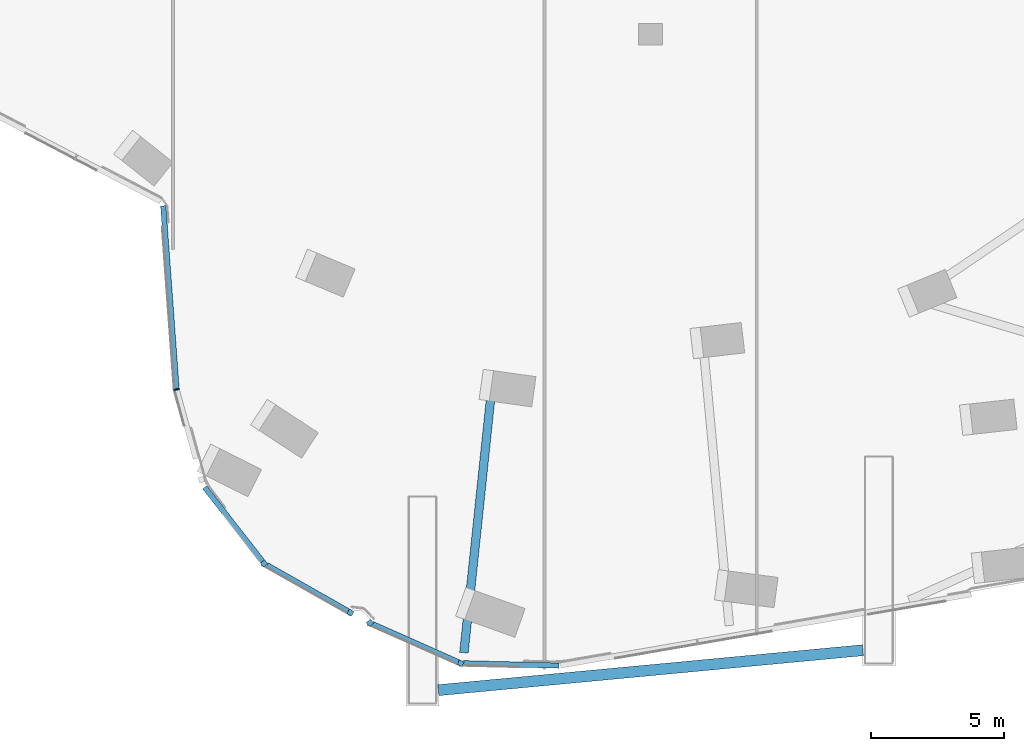
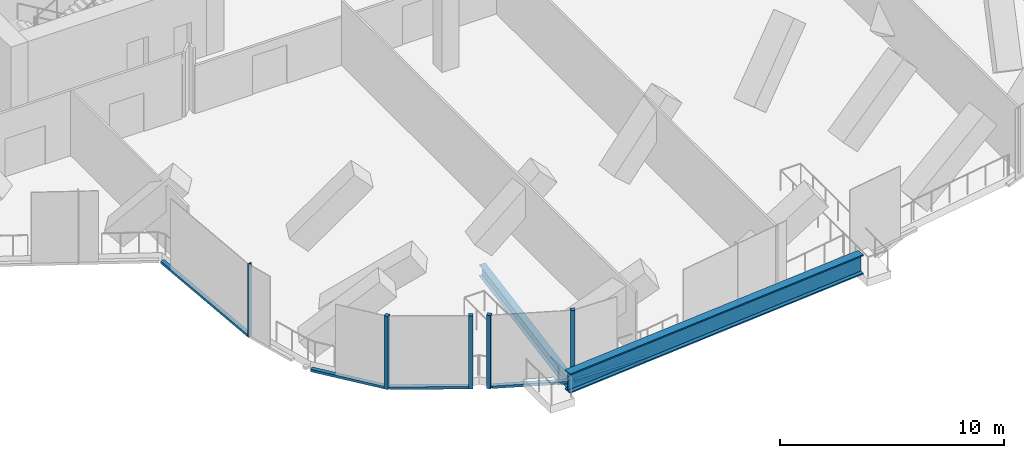
# One storey, part 2 of 26: 10 members, 2 beams, 5 elements without a shape of their own.
"""IFC4 building model written with IfcOpenShell, lengths in metres."""

from ifc_helpers import new_model, si_unit, direction, frame, origin, origin_2d, place, context, subcontext, project, spatial, rectangle, i_section, extrude, material, material_profile, profile_set, type_object, element, aggregate, save


model = new_model("IFC4")

# Units and contexts
model_context = context("Model", 3, precision=1e-05, world=origin(), true_north=direction((0.0, 1.0)))
body_context = subcontext(model_context, "Body", "Model", "MODEL_VIEW")
ifc_project = project(units=[si_unit("LENGTHUNIT", "METRE"), si_unit("AREAUNIT", "SQUARE_METRE"), si_unit("VOLUMEUNIT", "CUBIC_METRE"), si_unit("PLANEANGLEUNIT", "RADIAN"), si_unit("MASSUNIT", "GRAM", prefix="KILO")], contexts=[model_context])

# Site, building, storey
site_placement = place(None, origin())
site = spatial("IfcSite", under=ifc_project, at=site_placement, CompositionType="ELEMENT")
building_placement = place(site_placement, origin())
building = spatial("IfcBuilding", under=site, at=building_placement, Name="Orlundy Tower", CompositionType="ELEMENT")
storey_placement = place(building_placement, frame((0.0, 0.0, 249.5)))
storey = spatial("IfcBuildingStorey", under=building, at=storey_placement, Name="L66", CompositionType="ELEMENT", Elevation=249.5)

# Beam
ifc_material_1 = material(Name="Steel ASTM A992 Gr 50", Category="steel")
ifc_material_profile_1 = material_profile(ifc_material_1, i_section(OverallWidth=0.32373046875, OverallDepth=0.611083984375, WebThickness=0.0126953125, FlangeThickness=0.01904296875, at=origin_2d()), Name="W24X104")
ifc_profile_set_1 = profile_set([ifc_material_profile_1], Name="Steel ASTM A992 Gr 50")
beam_type_1 = type_object("IfcBeamType", Name="CANTILEVER GIRDER beam W24X104", PredefinedType="BEAM", material=ifc_profile_set_1)
beam_1_placement = place(storey_placement, frame((-7.0380859375, -41.310302734375, -0.7255859375), z_axis=(0.104551019006, 0.994519524406, 0.0), x_axis=(-0.994519524406, 0.104551019006, 0.0)))
element("IfcBeam", 1, at=beam_1_placement, inside=storey, type_object=beam_type_1, Name="Cantilever girder C-B2-5 L66", PredefinedType="BEAM", context=body_context, shape_type="SweptSolid", body=[
    extrude(i_section(OverallWidth=0.32373046875, OverallDepth=0.611083984375, WebThickness=0.0126953125, FlangeThickness=0.01904296875, at=origin_2d()), origin(), (0.0, 0.0, 1.0), 9.69091796875),
])

# Curtain wall, members
ifc_material_2 = material(Name="Aluminium bronze anodised", Category="aluminium")
curtain_wall_type = type_object("IfcCurtainWallType", Name="CW5 wall", PredefinedType="NOTDEFINED", material=ifc_material_2)
curtain_wall_1_placement = place(storey_placement, origin())
curtain_wall_1 = element("IfcCurtainWall", 2, at=curtain_wall_1_placement, inside=storey, type_object=curtain_wall_type, Name="CW5 run 038", PredefinedType="NOTDEFINED")
ifc_material_3 = material(Name="Aluminium bronze anodised", Category="aluminium")
ifc_material_profile_2 = material_profile(ifc_material_3, rectangle(XDim=0.199951171875, YDim=0.199951171875, at=origin_2d()), Name="CW5 corner post 200x200")
ifc_profile_set_2 = profile_set([ifc_material_profile_2], Name="Aluminium bronze anodised")
member_type_1 = type_object("IfcMemberType", Name="CW5 corner post 200x200", PredefinedType="MULLION", material=ifc_profile_set_2)
member_1_placement = place(storey_placement, frame((-7.157470703125, -41.70654296875, -0.419921875), z_axis=(0.0, 0.0, 1.0), x_axis=(-0.405512541213, -0.914089480805, 0.0)))
member_1 = element("IfcMember", 3, at=member_1_placement, type_object=member_type_1, Name="CW5 mullion 54", PredefinedType="MULLION", context=body_context, shape_type="SweptSolid", body=[
    extrude(rectangle(XDim=0.199951171875, YDim=0.199951171875, at=origin_2d()), origin(), (0.0, 0.0, 1.0), 4.0),
])
member_2_placement = place(storey_placement, frame((-10.581787109375, -40.187255859375, -0.419921875), z_axis=(0.0, 0.0, 1.0), x_axis=(-0.724482422054, -0.689293275852, 0.0)))
member_2 = element("IfcMember", 4, at=member_2_placement, type_object=member_type_1, Name="CW5 mullion 55", PredefinedType="MULLION", context=body_context, shape_type="SweptSolid", body=[
    extrude(rectangle(XDim=0.199951171875, YDim=0.199951171875, at=origin_2d()), origin(), (0.0, 0.0, 1.0), 4.0),
])

# Curtain wall, member
curtain_wall_2_placement = place(storey_placement, origin())
curtain_wall_2 = element("IfcCurtainWall", 5, at=curtain_wall_2_placement, inside=storey, type_object=curtain_wall_type, Name="CW5 run 041", PredefinedType="NOTDEFINED")
member_3_placement = place(storey_placement, frame((-11.31298828125, -39.7978515625, -0.419921875), z_axis=(0.0, 0.0, 1.0), x_axis=(-0.493754430095, -0.869601381531, 0.0)))
member_3 = element("IfcMember", 6, at=member_3_placement, type_object=member_type_1, Name="CW5 mullion 57", PredefinedType="MULLION", context=body_context, shape_type="SweptSolid", body=[
    extrude(rectangle(XDim=0.199951171875, YDim=0.199951171875, at=origin_2d()), origin(), (0.0, 0.0, 1.0), 4.0),
])

curtain_wall_3_placement = place(storey_placement, origin())
curtain_wall_3 = element("IfcCurtainWall", 7, at=curtain_wall_3_placement, inside=storey, type_object=curtain_wall_type, Name="CW5 run 042", PredefinedType="NOTDEFINED")
member_4_placement = place(storey_placement, frame((-14.570556640625, -37.9482421875, -0.419921875), z_axis=(0.0, 0.0, 1.0), x_axis=(-0.788858043661, -0.614575452611, 0.0)))
member_4 = element("IfcMember", 8, at=member_4_placement, type_object=member_type_1, Name="CW5 mullion 58", PredefinedType="MULLION", context=body_context, shape_type="SweptSolid", body=[
    extrude(rectangle(XDim=0.199951171875, YDim=0.199951171875, at=origin_2d()), origin(), (0.0, 0.0, 1.0), 4.0),
])

curtain_wall_4_placement = place(storey_placement, origin())
curtain_wall_4 = element("IfcCurtainWall", 9, at=curtain_wall_4_placement, inside=storey, type_object=curtain_wall_type, Name="CW5 run 044", PredefinedType="NOTDEFINED")
ifc_material_4 = material(Name="Aluminium bronze anodised", Category="aluminium")
ifc_material_profile_3 = material_profile(ifc_material_4, rectangle(XDim=0.199951171875, YDim=0.050048828125, at=origin_2d()), Name="CW5 mullion 50x200")
ifc_profile_set_3 = profile_set([ifc_material_profile_3], Name="Aluminium bronze anodised")
member_type_2 = type_object("IfcMemberType", Name="CW5 mullion 50x200", PredefinedType="MULLION", material=ifc_profile_set_3)
member_5_placement = place(storey_placement, frame((-17.865966796875, -31.39111328125, -0.419921875), z_axis=(0.0, 0.0, 1.0), x_axis=(-0.985430525338, -0.1700784517, 0.0)))
member_5 = element("IfcMember", 10, at=member_5_placement, type_object=member_type_2, Name="CW5 mullion 60", PredefinedType="MULLION", context=body_context, shape_type="SweptSolid", body=[
    extrude(rectangle(XDim=0.199951171875, YDim=0.050048828125, at=origin_2d()), origin(), (0.0, 0.0, 1.0), 4.0),
])

curtain_wall_5_placement = place(storey_placement, origin())
curtain_wall_5 = element("IfcCurtainWall", 11, at=curtain_wall_5_placement, inside=storey, type_object=curtain_wall_type, Name="CW5 run 037", PredefinedType="NOTDEFINED")
ifc_material_5 = material(Name="Aluminium bronze anodised", Category="aluminium")
ifc_material_profile_4 = material_profile(ifc_material_5, rectangle(XDim=0.199951171875, YDim=0.139892578125, at=origin_2d()), Name="CW5 transom 200x140")
ifc_profile_set_4 = profile_set([ifc_material_profile_4], Name="Aluminium bronze anodised")
member_type_3 = type_object("IfcMemberType", Name="CW5 transom 200x140", PredefinedType="USERDEFINED", material=ifc_profile_set_4)
member_6_placement = place(storey_placement, frame((-3.44677734375, -41.797607421875, -0.35009765625), z_axis=(-0.999699175839, 0.024526675815, 0.0), x_axis=(-0.024526675815, -0.999699175839, 0.0)))
member_6 = element("IfcMember", 12, at=member_6_placement, type_object=member_type_3, Name="CW5 transom", ObjectType="TRANSOM", PredefinedType="USERDEFINED", context=body_context, shape_type="SweptSolid", body=[
    extrude(rectangle(XDim=0.199951171875, YDim=0.139892578125, at=origin_2d()), origin(), (0.0, 0.0, 1.0), 3.603271484375),
])
aggregate(curtain_wall_5, [member_6])

# Member
member_7_placement = place(storey_placement, frame((-7.248779296875, -41.666015625, -0.35009765625), z_axis=(-0.914081666921, 0.405530154487, 0.0), x_axis=(-0.405530154487, -0.914081666921, 0.0)))
member_7 = element("IfcMember", 13, at=member_7_placement, type_object=member_type_3, Name="CW5 transom", ObjectType="TRANSOM", PredefinedType="USERDEFINED", context=body_context, shape_type="SweptSolid", body=[
    extrude(rectangle(XDim=0.199951171875, YDim=0.139892578125, at=origin_2d()), origin(), (0.0, 0.0, 1.0), 3.5380859375),
])

aggregate(curtain_wall_1, [member_1, member_2, member_7])

member_8_placement = place(storey_placement, frame((-11.400146484375, -39.748291015625, -0.35009765625), z_axis=(-0.869594624198, 0.493766330937, 0.0), x_axis=(-0.493766330937, -0.869594624198, 0.0)))
member_8 = element("IfcMember", 14, at=member_8_placement, type_object=member_type_3, Name="CW5 transom", ObjectType="TRANSOM", PredefinedType="USERDEFINED", context=body_context, shape_type="SweptSolid", body=[
    extrude(rectangle(XDim=0.199951171875, YDim=0.139892578125, at=origin_2d()), origin(), (0.0, 0.0, 1.0), 3.537841796875),
])

aggregate(curtain_wall_2, [member_3, member_8])

member_9_placement = place(storey_placement, frame((-14.632080078125, -37.869140625, -0.35009765625), z_axis=(-0.61460441173, 0.788835481632, 0.0), x_axis=(-0.788835481632, -0.61460441173, 0.0)))
member_9 = element("IfcMember", 15, at=member_9_placement, type_object=member_type_3, Name="CW5 transom", ObjectType="TRANSOM", PredefinedType="USERDEFINED", context=body_context, shape_type="SweptSolid", body=[
    extrude(rectangle(XDim=0.199951171875, YDim=0.139892578125, at=origin_2d()), origin(), (0.0, 0.0, 1.0), 3.5380859375),
])

aggregate(curtain_wall_3, [member_4, member_9])

member_10_placement = place(storey_placement, frame((-17.867919921875, -31.365966796875, -0.35009765625), z_axis=(-0.072741878395, 0.997350800435, 0.0), x_axis=(-0.997350800435, -0.072741878395, 0.0)))
member_10 = element("IfcMember", 16, at=member_10_placement, type_object=member_type_3, Name="CW5 transom", ObjectType="TRANSOM", PredefinedType="USERDEFINED", context=body_context, shape_type="SweptSolid", body=[
    extrude(rectangle(XDim=0.199951171875, YDim=0.139892578125, at=origin_2d()), origin(), (0.0, 0.0, 1.0), 6.917236328125),
])

aggregate(curtain_wall_4, [member_5, member_10])

# Beam
ifc_material_6 = material(Name="Steel ASTM A992 Gr 50", Category="steel")
ifc_material_profile_5 = material_profile(ifc_material_6, i_section(OverallWidth=0.41650390625, OverallDepth=1.068115234375, WebThickness=0.0390625, FlangeThickness=0.070068359375, at=origin_2d()), Name="W40X503")
ifc_profile_set_5 = profile_set([ifc_material_profile_5], Name="Steel ASTM A992 Gr 50")
beam_type_2 = type_object("IfcBeamType", Name="PORTAL GATE beam W40X503", PredefinedType="BEAM", material=ifc_profile_set_5)
beam_2_placement = place(storey_placement, frame((-8.0, -42.722900390625, 0.5341796875), z_axis=(0.99560027704, 0.093702125683, 0.0), x_axis=(-0.093702125683, 0.99560027704, 0.0)))
element("IfcBeam", 17, at=beam_2_placement, inside=storey, type_object=beam_type_2, Name="Portal gate sill beam S", PredefinedType="BEAM", context=body_context, shape_type="SweptSolid", body=[
    extrude(i_section(OverallWidth=0.41650390625, OverallDepth=1.068115234375, WebThickness=0.0390625, FlangeThickness=0.070068359375, at=origin_2d()), origin(), (0.0, 0.0, 1.0), 16.07080078125),
])

save(model, "model.ifc")
